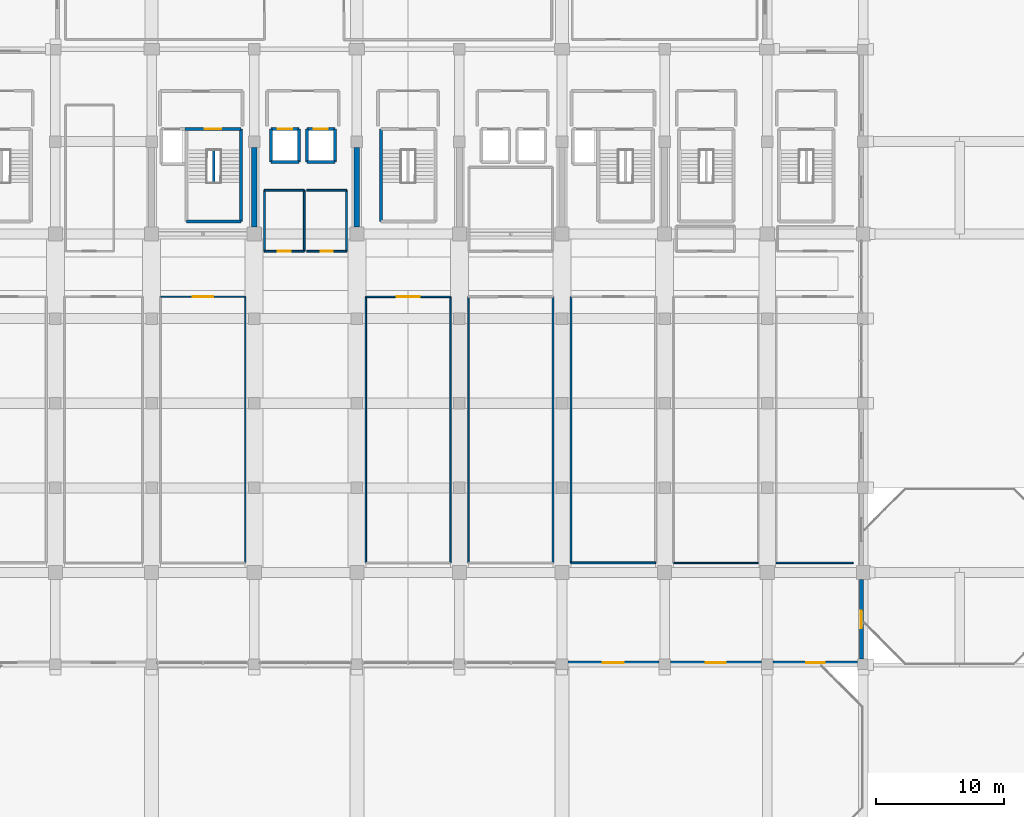
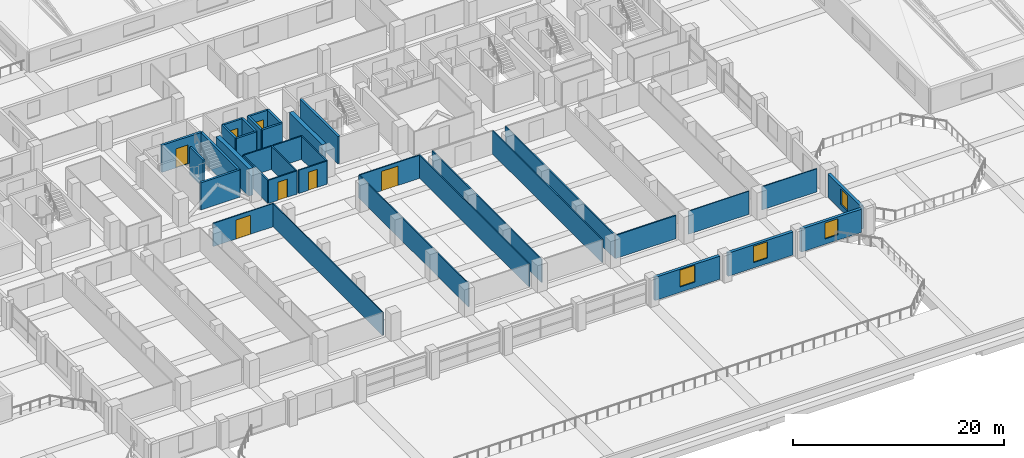
# One storey, part 37 of 49: 37 walls, 7 doors, 4 windows, 11 openings.
"""IFC4 building model written with IfcOpenShell, lengths in metres."""

from ifc_helpers import new_model, si_unit, direction, frame, frame_2d, origin, place, context, subcontext, project, spatial, rectangle, extrude, material, layer, layer_set, type_object, element, fill, save


model = new_model("IFC4")

# Units and contexts
model_context = context("Model", 3, precision=1e-05, world=origin(), true_north=direction((0.0, 1.0)))
body_context = subcontext(model_context, "Body", "Model", "MODEL_VIEW")
ifc_project = project(units=[si_unit("LENGTHUNIT", "METRE"), si_unit("AREAUNIT", "SQUARE_METRE"), si_unit("VOLUMEUNIT", "CUBIC_METRE"), si_unit("PLANEANGLEUNIT", "RADIAN"), si_unit("MASSUNIT", "GRAM", prefix="KILO")], contexts=[model_context])

# Site, building, storey
site_placement = place(None, origin())
site = spatial("IfcSite", under=ifc_project, at=site_placement, CompositionType="ELEMENT")
building_placement = place(site_placement, origin())
building = spatial("IfcBuilding", under=site, at=building_placement, Name="Akrevak Sports Hall", CompositionType="ELEMENT")
storey_placement = place(building_placement, frame((0.0, 0.0, 24.14990234375)))
storey = spatial("IfcBuildingStorey", under=building, at=storey_placement, Name="L04", CompositionType="ELEMENT", Elevation=24.14990234375)

# Wall, opening, window
ifc_material_1 = material(Name="Limestone Ashlar", Category="stone")
ifc_layer_1 = layer(ifc_material_1, 0.070068359375, Name="Limestone Ashlar")
ifc_material_2 = material(Name="Mineral Wool Thermal Insulation", Category="insulation")
ifc_layer_2 = layer(ifc_material_2, 0.090087890625, Name="Mineral Wool Thermal Insulation")
ifc_material_3 = material(Name="Concrete C40/50", Category="concrete")
ifc_layer_3 = layer(ifc_material_3, 0.159912109375, Name="Concrete C40/50")
ifc_layer_set_1 = layer_set([ifc_layer_1, ifc_layer_2, ifc_layer_3], Name="Limestone Ashlar / Mineral Wool Thermal Insulation / Concrete C40/50")
wall_type_1 = type_object("IfcWallType", Name="ARC-WL-EXT-320", PredefinedType="SOLIDWALL", material=ifc_layer_set_1)
wall_1_placement = place(storey_placement, frame((92.449951171875, 21.760009765625, 0.0), z_axis=(0.0, 0.0, 1.0), x_axis=(1.0, 0.0, 0.0)))
wall_1 = element("IfcWall", 1, at=wall_1_placement, inside=storey, type_object=wall_type_1, Name="Tower Stone Facade Wall L04-S08", PredefinedType="SOLIDWALL", context=body_context, shape_type="SweptSolid", body=[
    extrude(rectangle(XDim=7.10009765625, YDim=0.320068359375, at=frame_2d((3.550048828125, 0.0))), origin(), (0.0, 0.0, 1.0), 2.68017578125),
])
opening_1_placement = place(wall_1_placement, frame((2.72509765625, 0.0, 0.6201171875)))
opening_1 = element("IfcOpeningElement", 2, at=opening_1_placement, cuts=wall_1, Name="Opening WN-16", PredefinedType="OPENING", context=body_context, shape_type="SweptSolid", body=[
    extrude(rectangle(XDim=1.64990234375, YDim=1.949951171875, at=frame_2d((0.824951171875, 0.97509765625))), frame((0.0, 0.171875, 0.0), z_axis=(0.0, -1.0, 0.0), x_axis=(1.0, 0.0, 0.0)), (0.0, 0.0, 1.0), 0.343994140625),
])
ifc_material_4 = material(Name="Thermally Broken Bronze Frame & Double Low-E Glass", Category="glass")
window_type_1 = type_object("IfcWindowType", Name="ARC-WIN-TW-165x195", PartitioningType="SINGLE_PANEL", PredefinedType="WINDOW", material=ifc_material_4)
window_1_placement = place(opening_1_placement, origin())
window_1 = element("IfcWindow", 3, at=window_1_placement, inside=storey, type_object=window_type_1, Name="Tower Window L04-S08", OverallHeight=1.949951171875, OverallWidth=1.64990234375, PartitioningType="SINGLE_PANEL", PredefinedType="WINDOW", context=body_context, shape_type="SweptSolid", body=[
    extrude(rectangle(XDim=1.64990234375, YDim=1.949951171875, at=frame_2d((0.824951171875, 0.97509765625))), frame((0.0, 0.030029296875, 0.0), z_axis=(0.0, -1.0, 0.0), x_axis=(1.0, 0.0, 0.0)), (0.0, 0.0, 1.0), 0.06005859375),
])
fill(opening_1, window_1)

wall_2_placement = place(storey_placement, frame((100.449951171875, 21.760009765625, 0.0), z_axis=(0.0, 0.0, 1.0), x_axis=(1.0, 0.0, 0.0)))
wall_2 = element("IfcWall", 4, at=wall_2_placement, inside=storey, type_object=wall_type_1, Name="Tower Stone Facade Wall L04-S09", PredefinedType="SOLIDWALL", context=body_context, shape_type="SweptSolid", body=[
    extrude(rectangle(XDim=7.10009765625, YDim=0.320068359375, at=frame_2d((3.550048828125, 0.0))), origin(), (0.0, 0.0, 1.0), 2.68017578125),
])
opening_2_placement = place(wall_2_placement, frame((2.77490234375, 0.0, 0.6201171875)))
opening_2 = element("IfcOpeningElement", 5, at=opening_2_placement, cuts=wall_2, Name="Opening WN-17", PredefinedType="OPENING", context=body_context, shape_type="SweptSolid", body=[
    extrude(rectangle(XDim=1.550048828125, YDim=1.89990234375, at=frame_2d((0.77490234375, 0.949951171875))), frame((0.0, 0.171875, 0.0), z_axis=(0.0, -1.0, 0.0), x_axis=(1.0, 0.0, 0.0)), (0.0, 0.0, 1.0), 0.343994140625),
])
window_type_2 = type_object("IfcWindowType", Name="ARC-WIN-TW-155x190", PartitioningType="SINGLE_PANEL", PredefinedType="WINDOW", material=ifc_material_4)
window_2_placement = place(opening_2_placement, origin())
window_2 = element("IfcWindow", 6, at=window_2_placement, inside=storey, type_object=window_type_2, Name="Tower Window L04-S09", OverallHeight=1.89990234375, OverallWidth=1.550048828125, PartitioningType="SINGLE_PANEL", PredefinedType="WINDOW", context=body_context, shape_type="SweptSolid", body=[
    extrude(rectangle(XDim=1.550048828125, YDim=1.89990234375, at=frame_2d((0.77490234375, 0.949951171875))), frame((0.0, 0.030029296875, 0.0), z_axis=(0.0, -1.0, 0.0), x_axis=(1.0, 0.0, 0.0)), (0.0, 0.0, 1.0), 0.06005859375),
])
fill(opening_2, window_2)

wall_3_placement = place(storey_placement, frame((108.449951171875, 21.760009765625, 0.0), z_axis=(0.0, 0.0, 1.0), x_axis=(1.0, 0.0, 0.0)))
wall_3 = element("IfcWall", 7, at=wall_3_placement, inside=storey, type_object=wall_type_1, Name="Tower Stone Facade Wall L04-S10", PredefinedType="SOLIDWALL", context=body_context, shape_type="SweptSolid", body=[
    extrude(rectangle(XDim=6.60009765625, YDim=0.320068359375, at=frame_2d((3.300048828125, 0.0))), origin(), (0.0, 0.0, 1.0), 2.68017578125),
])
opening_3_placement = place(wall_3_placement, frame((2.574951171875, 0.0, 0.6201171875)))
opening_3 = element("IfcOpeningElement", 8, at=opening_3_placement, cuts=wall_3, Name="Opening WN-18", PredefinedType="OPENING", context=body_context, shape_type="SweptSolid", body=[
    extrude(rectangle(XDim=1.449951171875, YDim=1.85009765625, at=frame_2d((0.72509765625, 0.925048828125))), frame((0.0, 0.171875, 0.0), z_axis=(0.0, -1.0, 0.0), x_axis=(1.0, 0.0, 0.0)), (0.0, 0.0, 1.0), 0.343994140625),
])
window_type_3 = type_object("IfcWindowType", Name="ARC-WIN-TW-145x185", PartitioningType="SINGLE_PANEL", PredefinedType="WINDOW", material=ifc_material_4)
window_3_placement = place(opening_3_placement, origin())
window_3 = element("IfcWindow", 9, at=window_3_placement, inside=storey, type_object=window_type_3, Name="Tower Window L04-S10", OverallHeight=1.85009765625, OverallWidth=1.449951171875, PartitioningType="SINGLE_PANEL", PredefinedType="WINDOW", context=body_context, shape_type="SweptSolid", body=[
    extrude(rectangle(XDim=1.449951171875, YDim=1.85009765625, at=frame_2d((0.72509765625, 0.925048828125))), frame((0.0, 0.030029296875, 0.0), z_axis=(0.0, -1.0, 0.0), x_axis=(1.0, 0.0, 0.0)), (0.0, 0.0, 1.0), 0.06005859375),
])
fill(opening_3, window_3)

wall_4_placement = place(storey_placement, frame((115.340087890625, 22.050048828125, 0.0), z_axis=(0.0, 0.0, 1.0), x_axis=(0.0, 1.0, 0.0)))
wall_4 = element("IfcWall", 10, at=wall_4_placement, inside=storey, type_object=wall_type_1, Name="Tower Stone Facade Wall L04-E11", PredefinedType="SOLIDWALL", context=body_context, shape_type="SweptSolid", body=[
    extrude(rectangle(XDim=6.199951171875, YDim=0.320068359375, at=frame_2d((3.10009765625, 0.0))), origin(), (0.0, 0.0, 1.0), 2.68017578125),
])
opening_4_placement = place(wall_4_placement, frame((2.425048828125, 0.0, 0.6201171875)))
opening_4 = element("IfcOpeningElement", 11, at=opening_4_placement, cuts=wall_4, Name="Opening WN-19", PredefinedType="OPENING", context=body_context, shape_type="SweptSolid", body=[
    extrude(rectangle(XDim=1.35009765625, YDim=1.800048828125, at=frame_2d((0.675048828125, 0.89990234375))), frame((0.0, 0.171875, 0.0), z_axis=(0.0, -1.0, 0.0), x_axis=(1.0, 0.0, 0.0)), (0.0, 0.0, 1.0), 0.343994140625),
])
window_type_4 = type_object("IfcWindowType", Name="ARC-WIN-TW-135x180", PartitioningType="SINGLE_PANEL", PredefinedType="WINDOW", material=ifc_material_4)
window_4_placement = place(opening_4_placement, origin())
window_4 = element("IfcWindow", 12, at=window_4_placement, inside=storey, type_object=window_type_4, Name="Tower Window L04-E11", OverallHeight=1.800048828125, OverallWidth=1.35009765625, PartitioningType="SINGLE_PANEL", PredefinedType="WINDOW", context=body_context, shape_type="SweptSolid", body=[
    extrude(rectangle(XDim=1.35009765625, YDim=1.800048828125, at=frame_2d((0.675048828125, 0.89990234375))), frame((0.0, 0.030029296875, 0.0), z_axis=(0.0, -1.0, 0.0), x_axis=(1.0, 0.0, 0.0)), (0.0, 0.0, 1.0), 0.06005859375),
])
fill(opening_4, window_4)

# Wall
ifc_material_5 = material(Name="Sanitary Cubicle Partition", Category="gypsum")
ifc_layer_4 = layer(ifc_material_5, 0.10009765625, Name="Sanitary Cubicle Partition")
ifc_layer_set_2 = layer_set([ifc_layer_4], Name="Sanitary Cubicle Partition")
wall_type_2 = type_object("IfcWallType", Name="ARC-WL-PRT-100", PredefinedType="PARTITIONING", material=ifc_layer_set_2)
wall_5_placement = place(storey_placement, frame((100.699951171875, 29.550048828125, 0.0), z_axis=(0.0, 0.0, 1.0), x_axis=(1.0, 0.0, 0.0)))
element("IfcWall", 13, at=wall_5_placement, inside=storey, type_object=wall_type_2, Name="Interior Partition Bosphorus Honors Reception Salon (S)", PredefinedType="PARTITIONING", context=body_context, shape_type="SweptSolid", body=[
    extrude(rectangle(XDim=6.60009765625, YDim=0.10009765625, at=frame_2d((3.300048828125, 0.0))), origin(), (0.0, 0.0, 1.0), 2.68017578125),
])

# Wall, opening, door
ifc_material_6 = material(Name="Lightweight Office Partition", Category="gypsum")
ifc_layer_5 = layer(ifc_material_6, 0.110107421875, Name="Lightweight Office Partition")
ifc_layer_set_3 = layer_set([ifc_layer_5], Name="Lightweight Office Partition")
wall_type_3 = type_object("IfcWallType", Name="ARC-WL-PRT-110", PredefinedType="PARTITIONING", material=ifc_layer_set_3)
wall_6_placement = place(storey_placement, frame((60.699951171875, 50.300048828125, 0.0), z_axis=(0.0, 0.0, 1.0), x_axis=(1.0, 0.0, 0.0)))
wall_6 = element("IfcWall", 14, at=wall_6_placement, inside=storey, type_object=wall_type_3, Name="Interior Partition National Delegates Conference Room L04 (N)", PredefinedType="PARTITIONING", context=body_context, shape_type="SweptSolid", body=[
    extrude(rectangle(XDim=6.60009765625, YDim=0.110107421875, at=frame_2d((3.300048828125, 0.0))), origin(), (0.0, 0.0, 1.0), 2.68017578125),
])
opening_5_placement = place(wall_6_placement, frame((2.5, 0.0, 0.0)))
opening_5 = element("IfcOpeningElement", 15, at=opening_5_placement, cuts=wall_6, Name="Opening ID-03", PredefinedType="OPENING", context=body_context, shape_type="SweptSolid", body=[
    extrude(rectangle(XDim=1.60009765625, YDim=2.199951171875, at=frame_2d((0.800048828125, 1.10009765625))), frame((0.0, 0.06689453125, 0.0), z_axis=(0.0, -1.0, 0.0), x_axis=(1.0, 0.0, 0.0)), (0.0, 0.0, 1.0), 0.134033203125),
])
ifc_material_7 = material(Name="Hardwood Oak & Safety Glass", Category="wood")
door_type_1 = type_object("IfcDoorType", Name="ARC-DR-HALL-160x220", OperationType="DOUBLE_DOOR_SINGLE_SWING", PredefinedType="DOOR", material=ifc_material_7)
door_1_placement = place(opening_5_placement, origin())
door_1 = element("IfcDoor", 16, at=door_1_placement, inside=storey, type_object=door_type_1, Name="Door to National Delegates Conference Room L04", OperationType="DOUBLE_DOOR_SINGLE_SWING", OverallHeight=2.199951171875, OverallWidth=1.60009765625, PredefinedType="DOOR", context=body_context, shape_type="SweptSolid", body=[
    extrude(rectangle(XDim=1.60009765625, YDim=2.199951171875, at=frame_2d((0.800048828125, 1.10009765625))), frame((0.0, 0.02490234375, 0.0), z_axis=(0.0, -1.0, 0.0), x_axis=(1.0, 0.0, 0.0)), (0.0, 0.0, 1.0), 0.050048828125),
])
fill(opening_5, door_1)

# Walls
wall_7_placement = place(storey_placement, frame((67.300048828125, 29.550048828125, 0.0), z_axis=(0.0, 0.0, 1.0), x_axis=(0.0, 1.0, 0.0)))
element("IfcWall", 17, at=wall_7_placement, inside=storey, type_object=wall_type_3, Name="Interior Partition National Delegates Conference Room L04 (E)", PredefinedType="PARTITIONING", context=body_context, shape_type="SweptSolid", body=[
    extrude(rectangle(XDim=20.75, YDim=0.110107421875, at=frame_2d((10.375, 0.0))), origin(), (0.0, 0.0, 1.0), 2.68017578125),
])
wall_8_placement = place(storey_placement, frame((108.699951171875, 29.550048828125, 0.0), z_axis=(0.0, 0.0, 1.0), x_axis=(1.0, 0.0, 0.0)))
element("IfcWall", 18, at=wall_8_placement, inside=storey, type_object=wall_type_3, Name="Interior Partition Olympic Museum & Honors Salon East (S)", PredefinedType="PARTITIONING", context=body_context, shape_type="SweptSolid", body=[
    extrude(rectangle(XDim=6.0, YDim=0.110107421875, at=frame_2d((3.0, 0.0))), origin(), (0.0, 0.0, 1.0), 2.68017578125),
])

# Wall, opening, door
ifc_material_8 = material(Name="Standard Metal Stud Partition", Category="gypsum")
ifc_layer_6 = layer(ifc_material_8, 0.1201171875, Name="Standard Metal Stud Partition")
ifc_layer_set_4 = layer_set([ifc_layer_6], Name="Standard Metal Stud Partition")
wall_type_4 = type_object("IfcWallType", Name="ARC-WL-PRT-120", PredefinedType="PARTITIONING", material=ifc_layer_set_4)
wall_9_placement = place(storey_placement, frame((76.699951171875, 50.300048828125, 0.0), z_axis=(0.0, 0.0, 1.0), x_axis=(1.0, 0.0, 0.0)))
wall_9 = element("IfcWall", 19, at=wall_9_placement, inside=storey, type_object=wall_type_4, Name="Interior Partition Olympic Heritage Exhibition Gallery 1 (N)", PredefinedType="PARTITIONING", context=body_context, shape_type="SweptSolid", body=[
    extrude(rectangle(XDim=6.60009765625, YDim=0.1201171875, at=frame_2d((3.300048828125, 0.0))), origin(), (0.0, 0.0, 1.0), 2.68017578125),
])
opening_6_placement = place(wall_9_placement, frame((2.39990234375, 0.0, 0.0)))
opening_6 = element("IfcOpeningElement", 20, at=opening_6_placement, cuts=wall_9, Name="Opening ID-02", PredefinedType="OPENING", context=body_context, shape_type="SweptSolid", body=[
    extrude(rectangle(XDim=1.800048828125, YDim=2.25, at=frame_2d((0.89990234375, 1.125))), frame((0.0, 0.072021484375, 0.0), z_axis=(0.0, -1.0, 0.0), x_axis=(1.0, 0.0, 0.0)), (0.0, 0.0, 1.0), 0.14404296875),
])
door_type_2 = type_object("IfcDoorType", Name="ARC-DR-HALL-180x225", OperationType="DOUBLE_DOOR_SINGLE_SWING", PredefinedType="DOOR", material=ifc_material_7)
door_2_placement = place(opening_6_placement, origin())
door_2 = element("IfcDoor", 21, at=door_2_placement, inside=storey, type_object=door_type_2, Name="Door to Olympic Heritage Exhibition Gallery 1", OperationType="DOUBLE_DOOR_SINGLE_SWING", OverallHeight=2.25, OverallWidth=1.800048828125, PredefinedType="DOOR", context=body_context, shape_type="SweptSolid", body=[
    extrude(rectangle(XDim=1.800048828125, YDim=2.25, at=frame_2d((0.89990234375, 1.125))), frame((0.0, 0.02490234375, 0.0), z_axis=(0.0, -1.0, 0.0), x_axis=(1.0, 0.0, 0.0)), (0.0, 0.0, 1.0), 0.050048828125),
])
fill(opening_6, door_2)

# Walls
for number, where, z_axis, x_axis, name in (
    (22, (76.699951171875, 29.550048828125, 0.0), (0.0, 0.0, 1.0), (0.0, 1.0, 0.0), "Interior Partition Olympic Heritage Exhibition Gallery 1 (W)"),
    (23, (83.300048828125, 29.550048828125, 0.0), (0.0, 0.0, 1.0), (0.0, 1.0, 0.0), "Interior Partition Olympic Heritage Exhibition Gallery 1 (E)"),
):
    element("IfcWall", number, at=place(storey_placement, frame(where, z_axis=z_axis, x_axis=x_axis)), inside=storey, type_object=wall_type_4, Name=name, PredefinedType="PARTITIONING", context=body_context, shape_type="SweptSolid", body=[
        extrude(rectangle(XDim=20.75, YDim=0.1201171875, at=frame_2d((10.375, 0.0))), origin(), (0.0, 0.0, 1.0), 2.68017578125),
    ])
ifc_material_9 = material(Name="Acoustic Metal Stud Partition", Category="gypsum")
ifc_layer_7 = layer(ifc_material_9, 0.1298828125, Name="Acoustic Metal Stud Partition")
ifc_layer_set_5 = layer_set([ifc_layer_7], Name="Acoustic Metal Stud Partition")
wall_type_5 = type_object("IfcWallType", Name="ARC-WL-PRT-130", PredefinedType="PARTITIONING", material=ifc_layer_set_5)
for number, where, z_axis, x_axis, name in (
    (24, (84.699951171875, 29.550048828125, 0.0), (0.0, 0.0, 1.0), (0.0, 1.0, 0.0), "Interior Partition Olympic Heritage Exhibition Gallery 2 (W)"),
    (25, (91.300048828125, 29.550048828125, 0.0), (0.0, 0.0, 1.0), (0.0, 1.0, 0.0), "Interior Partition Olympic Heritage Exhibition Gallery 2 (E)"),
):
    element("IfcWall", number, at=place(storey_placement, frame(where, z_axis=z_axis, x_axis=x_axis)), inside=storey, type_object=wall_type_5, Name=name, PredefinedType="PARTITIONING", context=body_context, shape_type="SweptSolid", body=[
        extrude(rectangle(XDim=20.75, YDim=0.1298828125, at=frame_2d((10.375, 0.0))), origin(), (0.0, 0.0, 1.0), 2.68017578125),
    ])

# Wall, opening, door
ifc_material_10 = material(Name="Moisture-Resistant Wet-Area Partition", Category="gypsum")
ifc_layer_8 = layer(ifc_material_10, 0.139892578125, Name="Moisture-Resistant Wet-Area Partition")
ifc_layer_set_6 = layer_set([ifc_layer_8], Name="Moisture-Resistant Wet-Area Partition")
wall_type_6 = type_object("IfcWallType", Name="ARC-WL-PRT-140", PredefinedType="PARTITIONING", material=ifc_layer_set_6)
wall_10_placement = place(storey_placement, frame((68.800048828125, 53.85009765625, 0.0), z_axis=(0.0, 0.0, 1.0), x_axis=(1.0, 0.0, 0.0)))
wall_10 = element("IfcWall", 26, at=wall_10_placement, inside=storey, type_object=wall_type_6, Name="Interior Partition Transfer Deck Accessible WC L04 (S)", PredefinedType="PARTITIONING", context=body_context, shape_type="SweptSolid", body=[
    extrude(rectangle(XDim=3.099853515625, YDim=0.139892578125, at=frame_2d((1.5498046875, 0.0))), origin(), (0.0, 0.0, 1.0), 2.68017578125),
])
opening_7_placement = place(wall_10_placement, frame((1.0400390625, 0.0, 0.0)))
opening_7 = element("IfcOpeningElement", 27, at=opening_7_placement, cuts=wall_10, Name="Opening ID-09", PredefinedType="OPENING", context=body_context, shape_type="SweptSolid", body=[
    extrude(rectangle(XDim=1.02001953125, YDim=2.10009765625, at=frame_2d((0.510009765625, 1.050048828125))), frame((0.0, 0.08203125, 0.0), z_axis=(0.0, -1.0, 0.0), x_axis=(1.0, 0.0, 0.0)), (0.0, 0.0, 1.0), 0.163818359375),
])
ifc_material_11 = material(Name="High-Pressure Laminate & Aluminium", Category="aluminium")
door_type_3 = type_object("IfcDoorType", Name="ARC-DR-AWC-102x210", OperationType="NOTDEFINED", PredefinedType="DOOR", material=ifc_material_11)
door_3_placement = place(opening_7_placement, frame((1.02001953125, 0.0, 0.0), z_axis=(0.0, 0.0, 1.0), x_axis=(-1.0, 0.0, 0.0)))
door_3 = element("IfcDoor", 28, at=door_3_placement, inside=storey, type_object=door_type_3, Name="Door to Transfer Deck Accessible WC L04", OperationType="SINGLE_SWING_RIGHT", OverallHeight=2.10009765625, OverallWidth=1.02001953125, PredefinedType="DOOR", context=body_context, shape_type="SweptSolid", body=[
    extrude(rectangle(XDim=1.02001953125, YDim=2.10009765625, at=frame_2d((0.510009765625, 1.050048828125))), frame((0.0, 0.02490234375, 0.0), z_axis=(0.0, -1.0, 0.0), x_axis=(1.0, 0.0, 0.0)), (0.0, 0.0, 1.0), 0.050048828125),
])
fill(opening_7, door_3)

# Walls
wall_11_placement = place(storey_placement, frame((68.800048828125, 58.60009765625, 0.0), z_axis=(0.0, 0.0, 1.0), x_axis=(1.0, 0.0, 0.0)))
element("IfcWall", 29, at=wall_11_placement, inside=storey, type_object=wall_type_6, Name="Interior Partition Transfer Deck Accessible WC L04 (N)", PredefinedType="PARTITIONING", context=body_context, shape_type="SweptSolid", body=[
    extrude(rectangle(XDim=3.099853515625, YDim=0.139892578125, at=frame_2d((1.5498046875, 0.0))), origin(), (0.0, 0.0, 1.0), 2.68017578125),
])
for number, where, z_axis, x_axis, name in (
    (30, (68.800048828125, 53.85009765625, 0.0), (0.0, 0.0, 1.0), (0.0, 1.0, 0.0), "Interior Partition Transfer Deck Accessible WC L04 (W)"),
    (31, (71.89990234375, 53.85009765625, 0.0), (0.0, 0.0, 1.0), (0.0, 1.0, 0.0), "Interior Partition Transfer Deck Accessible WC L04 (E)"),
):
    element("IfcWall", number, at=place(storey_placement, frame(where, z_axis=z_axis, x_axis=x_axis)), inside=storey, type_object=wall_type_6, Name=name, PredefinedType="PARTITIONING", context=body_context, shape_type="SweptSolid", body=[
        extrude(rectangle(XDim=4.75, YDim=0.139892578125, at=frame_2d((2.375, 0.0))), origin(), (0.0, 0.0, 1.0), 2.68017578125),
    ])

# Wall, opening, door
wall_12_placement = place(storey_placement, frame((72.10009765625, 53.85009765625, 0.0), z_axis=(0.0, 0.0, 1.0), x_axis=(1.0, 0.0, 0.0)))
wall_12 = element("IfcWall", 32, at=wall_12_placement, inside=storey, type_object=wall_type_6, Name="Interior Partition Transfer Deck Visitor WC L04 (S)", PredefinedType="PARTITIONING", context=body_context, shape_type="SweptSolid", body=[
    extrude(rectangle(XDim=3.099853515625, YDim=0.139892578125, at=frame_2d((1.5498046875, 0.0))), origin(), (0.0, 0.0, 1.0), 2.68017578125),
])
opening_8_placement = place(wall_12_placement, frame((1.074951171875, 0.0, 0.0)))
opening_8 = element("IfcOpeningElement", 33, at=opening_8_placement, cuts=wall_12, Name="Opening ID-08", PredefinedType="OPENING", context=body_context, shape_type="SweptSolid", body=[
    extrude(rectangle(XDim=0.949951171875, YDim=2.10009765625, at=frame_2d((0.47509765625, 1.050048828125))), frame((0.0, 0.08203125, 0.0), z_axis=(0.0, -1.0, 0.0), x_axis=(1.0, 0.0, 0.0)), (0.0, 0.0, 1.0), 0.163818359375),
])
door_type_4 = type_object("IfcDoorType", Name="ARC-DR-WC-095x210", OperationType="NOTDEFINED", PredefinedType="DOOR", material=ifc_material_11)
door_4_placement = place(opening_8_placement, origin())
door_4 = element("IfcDoor", 34, at=door_4_placement, inside=storey, type_object=door_type_4, Name="Door to Transfer Deck Visitor WC L04", OperationType="SINGLE_SWING_LEFT", OverallHeight=2.10009765625, OverallWidth=0.949951171875, PredefinedType="DOOR", context=body_context, shape_type="SweptSolid", body=[
    extrude(rectangle(XDim=0.949951171875, YDim=2.10009765625, at=frame_2d((0.47509765625, 1.050048828125))), frame((0.0, 0.02490234375, 0.0), z_axis=(0.0, -1.0, 0.0), x_axis=(1.0, 0.0, 0.0)), (0.0, 0.0, 1.0), 0.050048828125),
])
fill(opening_8, door_4)

# Walls
wall_13_placement = place(storey_placement, frame((72.10009765625, 58.60009765625, 0.0), z_axis=(0.0, 0.0, 1.0), x_axis=(1.0, 0.0, 0.0)))
element("IfcWall", 35, at=wall_13_placement, inside=storey, type_object=wall_type_6, Name="Interior Partition Transfer Deck Visitor WC L04 (N)", PredefinedType="PARTITIONING", context=body_context, shape_type="SweptSolid", body=[
    extrude(rectangle(XDim=3.099853515625, YDim=0.139892578125, at=frame_2d((1.5498046875, 0.0))), origin(), (0.0, 0.0, 1.0), 2.68017578125),
])
wall_14_placement = place(storey_placement, frame((75.199951171875, 53.85009765625, 0.0), z_axis=(0.0, 0.0, 1.0), x_axis=(0.0, 1.0, 0.0)))
element("IfcWall", 36, at=wall_14_placement, inside=storey, type_object=wall_type_6, Name="Interior Partition Transfer Deck Visitor WC L04 (E)", PredefinedType="PARTITIONING", context=body_context, shape_type="SweptSolid", body=[
    extrude(rectangle(XDim=4.75, YDim=0.139892578125, at=frame_2d((2.375, 0.0))), origin(), (0.0, 0.0, 1.0), 2.68017578125),
])
ifc_material_12 = material(Name="Double Stud Acoustic Gypsum Partition", Category="gypsum")
ifc_layer_9 = layer(ifc_material_12, 0.14990234375, Name="Double Stud Acoustic Gypsum Partition")
ifc_layer_set_7 = layer_set([ifc_layer_9], Name="Double Stud Acoustic Gypsum Partition")
wall_type_7 = type_object("IfcWallType", Name="ARC-WL-PRT-150", PredefinedType="PARTITIONING", material=ifc_layer_set_7)
wall_15_placement = place(storey_placement, frame((92.699951171875, 29.550048828125, 0.0), z_axis=(0.0, 0.0, 1.0), x_axis=(1.0, 0.0, 0.0)))
element("IfcWall", 37, at=wall_15_placement, inside=storey, type_object=wall_type_7, Name="Interior Partition International Sports Diplomacy Salon (S)", PredefinedType="PARTITIONING", context=body_context, shape_type="SweptSolid", body=[
    extrude(rectangle(XDim=6.60009765625, YDim=0.14990234375, at=frame_2d((3.300048828125, 0.0))), origin(), (0.0, 0.0, 1.0), 2.68017578125),
])
wall_16_placement = place(storey_placement, frame((92.699951171875, 29.550048828125, 0.0), z_axis=(0.0, 0.0, 1.0), x_axis=(0.0, 1.0, 0.0)))
element("IfcWall", 38, at=wall_16_placement, inside=storey, type_object=wall_type_7, Name="Interior Partition International Sports Diplomacy Salon (W)", PredefinedType="PARTITIONING", context=body_context, shape_type="SweptSolid", body=[
    extrude(rectangle(XDim=20.75, YDim=0.14990234375, at=frame_2d((10.375, 0.0))), origin(), (0.0, 0.0, 1.0), 2.68017578125),
])
ifc_layer_10 = layer(ifc_material_3, 0.219970703125, Name="Concrete C40/50")
ifc_layer_set_8 = layer_set([ifc_layer_10], Name="Concrete C40/50")
wall_type_8 = type_object("IfcWallType", Name="ARC-WL-PRT-220", PredefinedType="PARTITIONING", material=ifc_layer_set_8)
wall_17_placement = place(storey_placement, frame((64.85009765625, 59.215087890625, 0.0), z_axis=(0.0, 0.0, 1.0), x_axis=(0.0, 1.0, 0.0)))
element("IfcWall", 39, at=wall_17_placement, inside=storey, type_object=wall_type_8, Name="Stair ST1 Central Spine Wall (L04)", PredefinedType="PARTITIONING", context=body_context, shape_type="SweptSolid", body=[
    extrude(rectangle(XDim=2.52001953125, YDim=0.219970703125, at=frame_2d((1.260009765625, 0.0))), origin(), (0.0, 0.0, 1.0), 3.14013671875),
])
ifc_material_13 = material(Name="Concrete C50/60", Category="concrete")
ifc_layer_11 = layer(ifc_material_13, 0.219970703125, Name="Concrete C50/60")
ifc_layer_set_9 = layer_set([ifc_layer_11], Name="Concrete C50/60")
wall_type_9 = type_object("IfcWallType", Name="ARC-WL-SHAFT-220", PredefinedType="SHEAR", material=ifc_layer_set_9)
wall_18_placement = place(storey_placement, frame((69.31005859375, 60.81005859375, 0.0), z_axis=(0.0, 0.0, 1.0), x_axis=(1.0, 0.0, 0.0)))
element("IfcWall", 40, at=wall_18_placement, inside=storey, type_object=wall_type_9, Name="Lift Shaft LF-P1 Wall S (L04)", PredefinedType="SHEAR", context=body_context, shape_type="SweptSolid", body=[
    extrude(rectangle(XDim=2.179931640625, YDim=0.219970703125, at=frame_2d((1.08984375, 0.0))), origin(), (0.0, 0.0, 1.0), 3.14013671875),
])

# Wall, opening, door
wall_19_placement = place(storey_placement, frame((71.489990234375, 63.389892578125, 0.0), z_axis=(0.0, 0.0, 1.0), x_axis=(-1.0, 0.0, 0.0)))
wall_19 = element("IfcWall", 41, at=wall_19_placement, inside=storey, type_object=wall_type_9, Name="Lift Shaft LF-P1 Wall N (L04)", PredefinedType="SHEAR", context=body_context, shape_type="SweptSolid", body=[
    extrude(rectangle(XDim=2.179931640625, YDim=0.219970703125, at=frame_2d((1.08984375, 0.0))), origin(), (0.0, 0.0, 1.0), 3.14013671875),
])
opening_9_placement = place(wall_19_placement, frame((0.5400390625, 0.0, 0.0)))
opening_9 = element("IfcOpeningElement", 42, at=opening_9_placement, cuts=wall_19, Name="Opening LD-01", PredefinedType="OPENING", context=body_context, shape_type="SweptSolid", body=[
    extrude(rectangle(XDim=1.10009765625, YDim=2.199951171875, at=frame_2d((0.550048828125, 1.10009765625))), frame((0.0, 0.1220703125, 0.0), z_axis=(0.0, -1.0, 0.0), x_axis=(1.0, 0.0, 0.0)), (0.0, 0.0, 1.0), 0.243896484375),
])
ifc_material_14 = material(Name="Brushed Stainless Steel 304", Category="steel")
door_type_5 = type_object("IfcDoorType", Name="ARC-DR-LD-110x220", OperationType="SLIDING_TO_LEFT", PredefinedType="DOOR", material=ifc_material_14)
door_5_placement = place(opening_9_placement, origin())
door_5 = element("IfcDoor", 43, at=door_5_placement, inside=storey, type_object=door_type_5, Name="Lift LF-P1 Sliding Landing Door (L04)", OperationType="SLIDING_TO_LEFT", OverallHeight=2.199951171875, OverallWidth=1.10009765625, PredefinedType="DOOR", context=body_context, shape_type="SweptSolid", body=[
    extrude(rectangle(XDim=1.10009765625, YDim=2.199951171875, at=frame_2d((0.550048828125, 1.10009765625))), frame((0.0, 0.02490234375, 0.0), z_axis=(0.0, -1.0, 0.0), x_axis=(1.0, 0.0, 0.0)), (0.0, 0.0, 1.0), 0.050048828125),
])
fill(opening_9, door_5)

# Walls
for number, where, z_axis, x_axis, name in (
    (44, (69.31005859375, 63.389892578125, 0.0), (0.0, 0.0, 1.0), (0.0, -1.0, 0.0), "Lift Shaft LF-P1 Wall W (L04)"),
    (45, (71.489990234375, 60.81005859375, 0.0), (0.0, 0.0, 1.0), (0.0, 1.0, 0.0), "Lift Shaft LF-P1 Wall E (L04)"),
):
    element("IfcWall", number, at=place(storey_placement, frame(where, z_axis=z_axis, x_axis=x_axis)), inside=storey, type_object=wall_type_9, Name=name, PredefinedType="SHEAR", context=body_context, shape_type="SweptSolid", body=[
        extrude(rectangle(XDim=2.579833984375, YDim=0.219970703125, at=frame_2d((1.2900390625, 0.0))), origin(), (0.0, 0.0, 1.0), 3.14013671875),
    ])
wall_20_placement = place(storey_placement, frame((72.110107421875, 60.81005859375, 0.0), z_axis=(0.0, 0.0, 1.0), x_axis=(1.0, 0.0, 0.0)))
element("IfcWall", 46, at=wall_20_placement, inside=storey, type_object=wall_type_9, Name="Lift Shaft LF-P2 Wall S (L04)", PredefinedType="SHEAR", context=body_context, shape_type="SweptSolid", body=[
    extrude(rectangle(XDim=2.179931640625, YDim=0.219970703125, at=frame_2d((1.08984375, 0.0))), origin(), (0.0, 0.0, 1.0), 3.14013671875),
])

# Wall, opening, door
wall_21_placement = place(storey_placement, frame((74.2900390625, 63.389892578125, 0.0), z_axis=(0.0, 0.0, 1.0), x_axis=(-1.0, 0.0, 0.0)))
wall_21 = element("IfcWall", 47, at=wall_21_placement, inside=storey, type_object=wall_type_9, Name="Lift Shaft LF-P2 Wall N (L04)", PredefinedType="SHEAR", context=body_context, shape_type="SweptSolid", body=[
    extrude(rectangle(XDim=2.179931640625, YDim=0.219970703125, at=frame_2d((1.08984375, 0.0))), origin(), (0.0, 0.0, 1.0), 3.14013671875),
])
opening_10_placement = place(wall_21_placement, frame((0.5400390625, 0.0, 0.0)))
opening_10 = element("IfcOpeningElement", 48, at=opening_10_placement, cuts=wall_21, Name="Opening LD-01", PredefinedType="OPENING", context=body_context, shape_type="SweptSolid", body=[
    extrude(rectangle(XDim=1.10009765625, YDim=2.199951171875, at=frame_2d((0.550048828125, 1.10009765625))), frame((0.0, 0.1220703125, 0.0), z_axis=(0.0, -1.0, 0.0), x_axis=(1.0, 0.0, 0.0)), (0.0, 0.0, 1.0), 0.243896484375),
])
door_6_placement = place(opening_10_placement, origin())
door_6 = element("IfcDoor", 49, at=door_6_placement, inside=storey, type_object=door_type_5, Name="Lift LF-P2 Sliding Landing Door (L04)", OperationType="SLIDING_TO_LEFT", OverallHeight=2.199951171875, OverallWidth=1.10009765625, PredefinedType="DOOR", context=body_context, shape_type="SweptSolid", body=[
    extrude(rectangle(XDim=1.10009765625, YDim=2.199951171875, at=frame_2d((0.550048828125, 1.10009765625))), frame((0.0, 0.02490234375, 0.0), z_axis=(0.0, -1.0, 0.0), x_axis=(1.0, 0.0, 0.0)), (0.0, 0.0, 1.0), 0.050048828125),
])
fill(opening_10, door_6)

# Walls
for number, where, z_axis, x_axis, name in (
    (50, (72.110107421875, 63.389892578125, 0.0), (0.0, 0.0, 1.0), (0.0, -1.0, 0.0), "Lift Shaft LF-P2 Wall W (L04)"),
    (51, (74.2900390625, 60.81005859375, 0.0), (0.0, 0.0, 1.0), (0.0, 1.0, 0.0), "Lift Shaft LF-P2 Wall E (L04)"),
):
    element("IfcWall", number, at=place(storey_placement, frame(where, z_axis=z_axis, x_axis=x_axis)), inside=storey, type_object=wall_type_9, Name=name, PredefinedType="SHEAR", context=body_context, shape_type="SweptSolid", body=[
        extrude(rectangle(XDim=2.579833984375, YDim=0.219970703125, at=frame_2d((1.2900390625, 0.0))), origin(), (0.0, 0.0, 1.0), 3.14013671875),
    ])
ifc_layer_12 = layer(ifc_material_13, 0.449951171875, Name="Concrete C50/60")
ifc_layer_set_10 = layer_set([ifc_layer_12], Name="Concrete C50/60")
wall_type_10 = type_object("IfcWallType", Name="STR-WL-CORE-450", PredefinedType="SHEAR", material=ifc_layer_set_10)
for number, where, z_axis, x_axis, name in (
    (52, (68.0, 55.75, 0.0), (0.0, 0.0, 1.0), (0.0, 1.0, 0.0), "Reinforced Concrete Shear Wall SW-C1 (L04)"),
    (53, (76.0, 55.75, 0.0), (0.0, 0.0, 1.0), (0.0, 1.0, 0.0), "Reinforced Concrete Shear Wall SW-W1 (L04)"),
):
    element("IfcWall", number, at=place(storey_placement, frame(where, z_axis=z_axis, x_axis=x_axis)), inside=storey, type_object=wall_type_10, Name=name, PredefinedType="SHEAR", context=body_context, shape_type="SweptSolid", body=[
        extrude(rectangle(XDim=6.199951171875, YDim=0.449951171875, at=frame_2d((3.10009765625, 0.0))), origin(), (0.0, 0.0, 1.0), 3.14013671875),
    ])
ifc_layer_13 = layer(ifc_material_13, 0.25, Name="Concrete C50/60")
ifc_layer_set_11 = layer_set([ifc_layer_13], Name="Concrete C50/60")
wall_type_11 = type_object("IfcWallType", Name="STR-WL-STAIR-250", PredefinedType="SHEAR", material=ifc_layer_set_11)
wall_22_placement = place(storey_placement, frame((62.72509765625, 56.175048828125, 0.0), z_axis=(0.0, 0.0, 1.0), x_axis=(1.0, 0.0, 0.0)))
element("IfcWall", 54, at=wall_22_placement, inside=storey, type_object=wall_type_11, Name="Stair Core ST1 Shear Wall S (L04)", PredefinedType="SHEAR", context=body_context, shape_type="SweptSolid", body=[
    extrude(rectangle(XDim=4.25, YDim=0.25, at=frame_2d((2.125, 0.0))), origin(), (0.0, 0.0, 1.0), 3.14013671875),
])

# Wall, opening, door
wall_23_placement = place(storey_placement, frame((66.97509765625, 63.375, 0.0), z_axis=(0.0, 0.0, 1.0), x_axis=(-1.0, 0.0, 0.0)))
wall_23 = element("IfcWall", 55, at=wall_23_placement, inside=storey, type_object=wall_type_11, Name="Stair Core ST1 Shear Wall N (L04)", PredefinedType="SHEAR", context=body_context, shape_type="SweptSolid", body=[
    extrude(rectangle(XDim=4.375, YDim=0.25, at=frame_2d((2.1875, 0.0))), origin(), (0.0, 0.0, 1.0), 3.14013671875),
])
opening_11_placement = place(wall_23_placement, frame((1.53759765625, 0.0, 0.0)))
opening_11 = element("IfcOpeningElement", 56, at=opening_11_placement, cuts=wall_23, Name="Opening SD-01", PredefinedType="OPENING", context=body_context, shape_type="SweptSolid", body=[
    extrude(rectangle(XDim=1.300048828125, YDim=2.199951171875, at=frame_2d((0.64990234375, 1.10009765625))), frame((0.0, 0.136962890625, 0.0), z_axis=(0.0, -1.0, 0.0), x_axis=(1.0, 0.0, 0.0)), (0.0, 0.0, 1.0), 0.27392578125),
])
ifc_material_15 = material(Name="Fire-Rated Galvanized Door Steel", Category="steel")
door_type_6 = type_object("IfcDoorType", Name="ARC-DR-STAIR-130x220", OperationType="NOTDEFINED", PredefinedType="DOOR", material=ifc_material_15)
door_7_placement = place(opening_11_placement, origin())
door_7 = element("IfcDoor", 57, at=door_7_placement, inside=storey, type_object=door_type_6, Name="Exit Stair ST1 Door (L04)", OperationType="SINGLE_SWING_RIGHT", OverallHeight=2.199951171875, OverallWidth=1.300048828125, PredefinedType="DOOR", context=body_context, shape_type="SweptSolid", body=[
    extrude(rectangle(XDim=1.300048828125, YDim=2.199951171875, at=frame_2d((0.64990234375, 1.10009765625))), frame((0.0, 0.02490234375, 0.0), z_axis=(0.0, -1.0, 0.0), x_axis=(1.0, 0.0, 0.0)), (0.0, 0.0, 1.0), 0.050048828125),
])
fill(opening_11, door_7)

# Walls
for number, where, z_axis, x_axis, name in (
    (58, (66.97509765625, 56.175048828125, 0.0), (0.0, 0.0, 1.0), (0.0, 1.0, 0.0), "Stair Core ST1 Shear Wall E (L04)"),
    (59, (77.875, 63.375, 0.0), (0.0, 0.0, 1.0), (0.0, -1.0, 0.0), "Stair Core ST3 Shear Wall W (L04)"),
):
    element("IfcWall", number, at=place(storey_placement, frame(where, z_axis=z_axis, x_axis=x_axis)), inside=storey, type_object=wall_type_11, Name=name, PredefinedType="SHEAR", context=body_context, shape_type="SweptSolid", body=[
        extrude(rectangle(XDim=7.199951171875, YDim=0.25, at=frame_2d((3.60009765625, 0.0))), origin(), (0.0, 0.0, 1.0), 3.14013671875),
    ])

save(model, "model.ifc")
